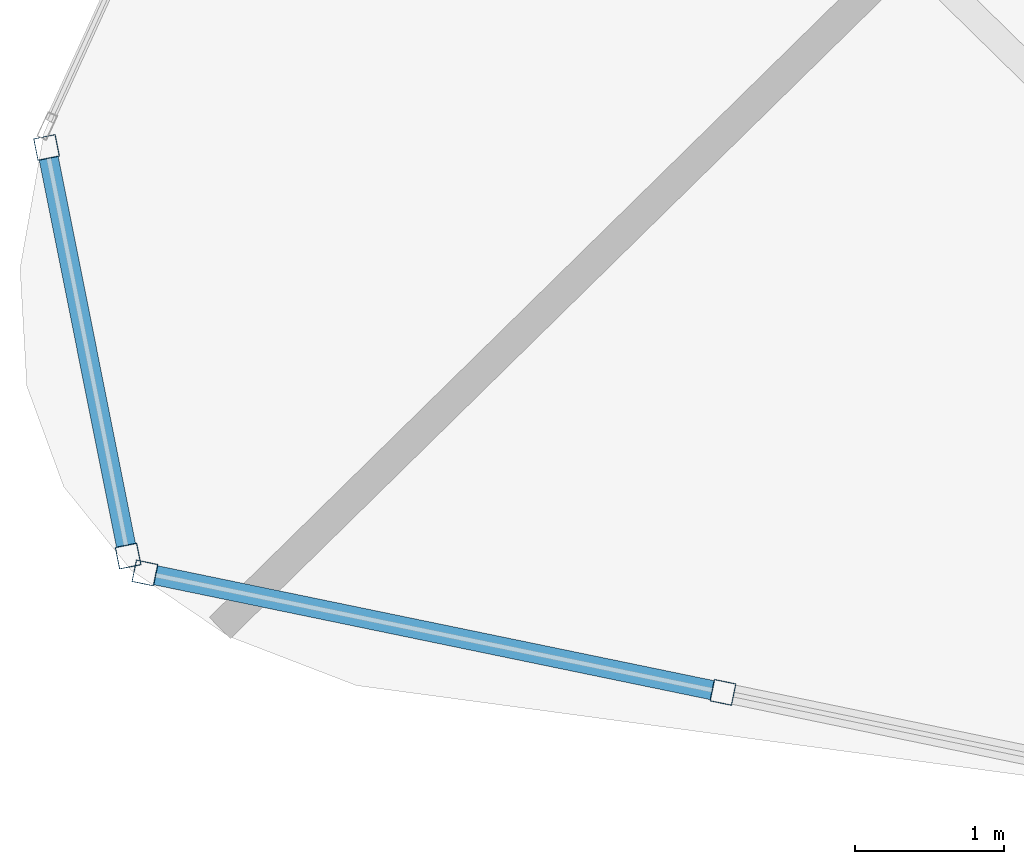
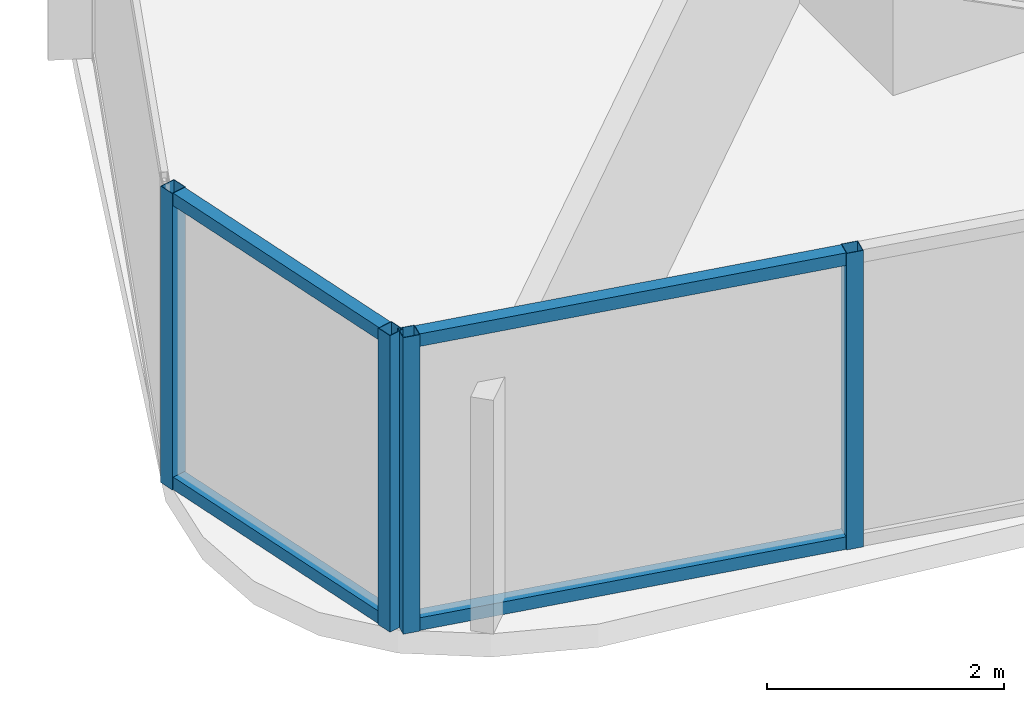
# One storey, part 2 of 34: 8 members, 2 elements without a shape of their own.
"""IFC4 building model written with IfcOpenShell, lengths in metres."""

from ifc_helpers import new_model, si_unit, direction, frame, origin, origin_2d, place, context, subcontext, project, spatial, hollow_rectangle, extrude, material, layer, layer_set, material_profile, profile_set, type_object, element, aggregate, save


model = new_model("IFC4")

# Units and contexts
model_context = context("Model", 3, precision=1e-05, world=origin(), true_north=direction((0.0, 1.0)))
body_context = subcontext(model_context, "Body", "Model", "MODEL_VIEW")
ifc_project = project(units=[si_unit("LENGTHUNIT", "METRE"), si_unit("AREAUNIT", "SQUARE_METRE"), si_unit("VOLUMEUNIT", "CUBIC_METRE"), si_unit("PLANEANGLEUNIT", "RADIAN"), si_unit("MASSUNIT", "GRAM", prefix="KILO")], contexts=[model_context])

# Site, building, storey
site_placement = place(None, origin())
site = spatial("IfcSite", under=ifc_project, at=site_placement, CompositionType="ELEMENT")
building_placement = place(site_placement, origin())
building = spatial("IfcBuilding", under=site, at=building_placement, Name="Orvanel Arch Residences", CompositionType="ELEMENT")
storey_placement = place(building_placement, frame((0.0, 0.0, 64.25)))
storey = spatial("IfcBuildingStorey", under=building, at=storey_placement, Name="L17", CompositionType="ELEMENT", Elevation=64.25)

# Curtain wall, members
ifc_material = material(Name="Bronze-anodised aluminium AA6063-T6", Category="aluminium")
ifc_layer = layer(ifc_material, 0.18994140625)
ifc_layer_set = layer_set([ifc_layer], Name="Bronze-anodised aluminium AA6063-T6")
curtain_wall_type = type_object("IfcCurtainWallType", Name="CW5-CRN-SYS", PredefinedType="NOTDEFINED", material=ifc_layer_set)
curtain_wall_1_placement = place(storey_placement, origin())
curtain_wall_1 = element("IfcCurtainWall", 1, at=curtain_wall_1_placement, inside=storey, type_object=curtain_wall_type, Name="L17 CW5-CRN-SYS Unitised Curtain Wall", PredefinedType="NOTDEFINED")
ifc_material_profile_1 = material_profile(ifc_material, hollow_rectangle(XDim=0.14990234375, YDim=0.14990234375, WallThickness=0.0048828125, at=origin_2d()), Name="ALU150x150x5")
ifc_profile_set_1 = profile_set([ifc_material_profile_1], Name="Bronze-anodised aluminium AA6063-T6")
member_type_1 = type_object("IfcMemberType", Name="MUL-150x150", PredefinedType="MULLION", material=ifc_profile_set_1)
member_1_placement = place(storey_placement, frame((5.275634765625, 7.6513671875, 0.0), z_axis=(0.0, 0.0, 1.0), x_axis=(0.980659148217, 0.195723363495, 0.0)))
member_1 = element("IfcMember", 2, at=member_1_placement, type_object=member_type_1, Name="CW-S5 mullion 1", PredefinedType="MULLION", context=body_context, shape_type="SweptSolid", body=[
    extrude(hollow_rectangle(XDim=0.14990234375, YDim=0.14990234375, WallThickness=0.0048828125, at=origin_2d()), origin(), (0.0, 0.0, 1.0), 3.06005859375),
])
member_2_placement = place(storey_placement, frame((5.8212890625, 4.91748046875, 0.0), z_axis=(0.0, 0.0, 1.0), x_axis=(0.980659148217, 0.195723363495, 0.0)))
member_2 = element("IfcMember", 3, at=member_2_placement, type_object=member_type_1, Name="CW-S5 mullion 2", PredefinedType="MULLION", context=body_context, shape_type="SweptSolid", body=[
    extrude(hollow_rectangle(XDim=0.14990234375, YDim=0.14990234375, WallThickness=0.0048828125, at=origin_2d()), origin(), (0.0, 0.0, 1.0), 3.06005859375),
])

curtain_wall_2_placement = place(storey_placement, origin())
curtain_wall_2 = element("IfcCurtainWall", 4, at=curtain_wall_2_placement, inside=storey, type_object=curtain_wall_type, Name="L17 CW5-CRN-SYS Unitised Curtain Wall", PredefinedType="NOTDEFINED")
member_3_placement = place(storey_placement, frame((5.933349609375, 4.804931640625, 0.0), z_axis=(0.0, 0.0, 1.0), x_axis=(0.202301523353, 0.979323283522, 0.0)))
member_3 = element("IfcMember", 5, at=member_3_placement, type_object=member_type_1, Name="CW-S5 mullion 1", PredefinedType="MULLION", context=body_context, shape_type="SweptSolid", body=[
    extrude(hollow_rectangle(XDim=0.14990234375, YDim=0.14990234375, WallThickness=0.0048828125, at=origin_2d()), origin(), (0.0, 0.0, 1.0), 3.06005859375),
])
member_4_placement = place(storey_placement, frame((9.800537109375, 4.006103515625, 0.0), z_axis=(0.0, 0.0, 1.0), x_axis=(0.202301523353, 0.979323283522, 0.0)))
member_4 = element("IfcMember", 6, at=member_4_placement, type_object=member_type_1, Name="CW-S5 mullion 2", PredefinedType="MULLION", context=body_context, shape_type="SweptSolid", body=[
    extrude(hollow_rectangle(XDim=0.14990234375, YDim=0.14990234375, WallThickness=0.0048828125, at=origin_2d()), origin(), (0.0, 0.0, 1.0), 3.06005859375),
])

# Member
ifc_material_profile_2 = material_profile(ifc_material, hollow_rectangle(XDim=0.1298828125, YDim=0.1298828125, WallThickness=0.00439453125, at=origin_2d()), Name="ALU130x130x4.5")
ifc_profile_set_2 = profile_set([ifc_material_profile_2], Name="Bronze-anodised aluminium AA6063-T6")
member_type_2 = type_object("IfcMemberType", Name="TRN-130x130", PredefinedType="USERDEFINED", material=ifc_profile_set_2)
member_5_placement = place(storey_placement, frame((5.290283203125, 7.577880859375, 0.06494140625), z_axis=(0.195760129979, -0.980651809518, 0.0), x_axis=(0.980651809518, 0.195760129979, 0.0)))
member_5 = element("IfcMember", 7, at=member_5_placement, type_object=member_type_2, Name="CW-S5 transom 1.1", ObjectType="TRANSOM", PredefinedType="USERDEFINED", context=body_context, shape_type="SweptSolid", body=[
    extrude(hollow_rectangle(XDim=0.1298828125, YDim=0.1298828125, WallThickness=0.00439453125, at=origin_2d()), origin(), (0.0, 0.0, 1.0), 2.6376953125),
])

member_6_placement = place(storey_placement, frame((5.290283203125, 7.577880859375, 2.9951171875), z_axis=(0.195760129979, -0.980651809518, 0.0), x_axis=(0.980651809518, 0.195760129979, 0.0)))
member_6 = element("IfcMember", 8, at=member_6_placement, type_object=member_type_2, Name="CW-S5 transom 1.2", ObjectType="TRANSOM", PredefinedType="USERDEFINED", context=body_context, shape_type="SweptSolid", body=[
    extrude(hollow_rectangle(XDim=0.1298828125, YDim=0.1298828125, WallThickness=0.00439453125, at=origin_2d()), origin(), (0.0, 0.0, 1.0), 2.6376953125),
])

aggregate(curtain_wall_1, [member_1, member_2, member_5, member_6])

member_7_placement = place(storey_placement, frame((6.0068359375, 4.78955078125, 0.06494140625), z_axis=(0.979332906818, -0.202254932259, 0.0), x_axis=(0.202254932259, 0.979332906818, 0.0)))
member_7 = element("IfcMember", 9, at=member_7_placement, type_object=member_type_2, Name="CW-S5 transom 1.1", ObjectType="TRANSOM", PredefinedType="USERDEFINED", context=body_context, shape_type="SweptSolid", body=[
    extrude(hollow_rectangle(XDim=0.1298828125, YDim=0.1298828125, WallThickness=0.00439453125, at=origin_2d()), origin(), (0.0, 0.0, 1.0), 3.798828125),
])

member_8_placement = place(storey_placement, frame((6.0068359375, 4.78955078125, 2.9951171875), z_axis=(0.979332906818, -0.202254932259, 0.0), x_axis=(0.202254932259, 0.979332906818, 0.0)))
member_8 = element("IfcMember", 10, at=member_8_placement, type_object=member_type_2, Name="CW-S5 transom 1.2", ObjectType="TRANSOM", PredefinedType="USERDEFINED", context=body_context, shape_type="SweptSolid", body=[
    extrude(hollow_rectangle(XDim=0.1298828125, YDim=0.1298828125, WallThickness=0.00439453125, at=origin_2d()), origin(), (0.0, 0.0, 1.0), 3.798828125),
])

aggregate(curtain_wall_2, [member_3, member_4, member_7, member_8])

save(model, "model.ifc")
